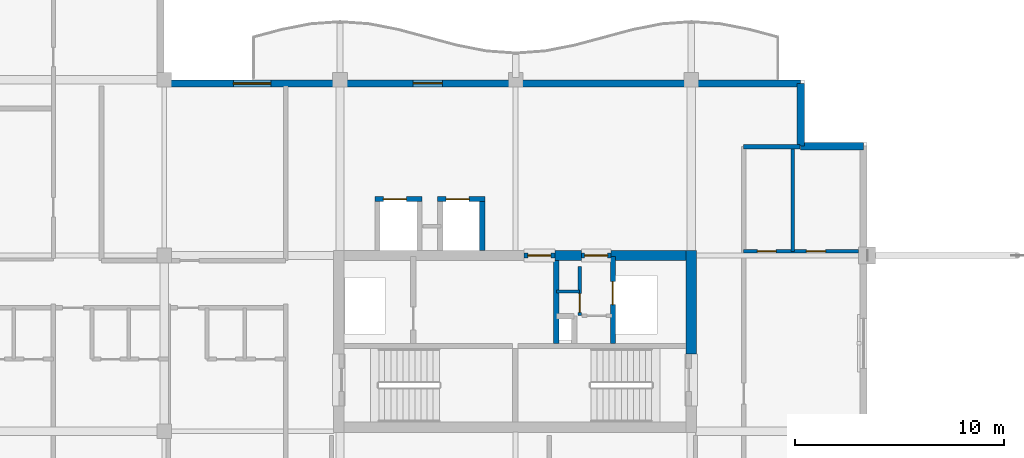
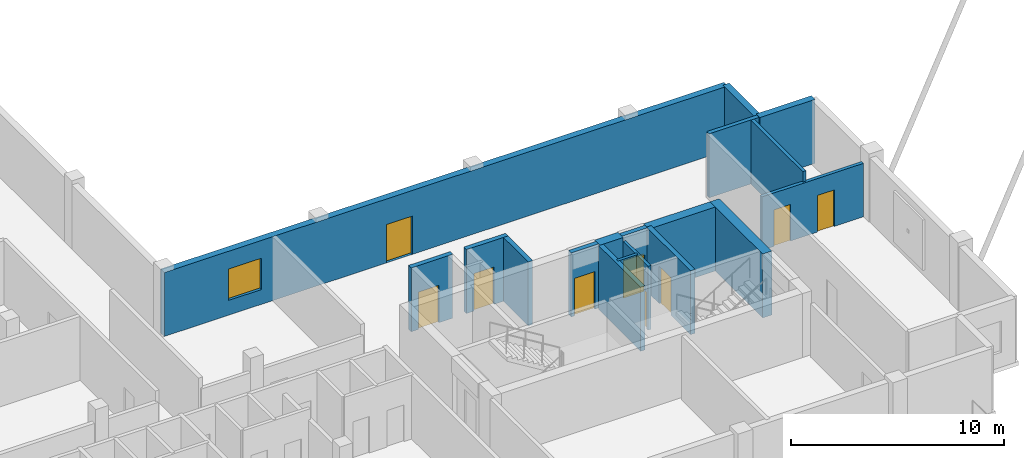
# One storey, part 9 of 17: 18 walls, 9 doors, 1 window, 10 openings.
"""IFC4 building model written with IfcOpenShell, lengths in metres."""

from ifc_helpers import new_model, si_unit, direction, frame, frame_2d, origin, place, context, subcontext, project, spatial, rectangle, extrude, material, layer, layer_set, type_object, element, fill, save


model = new_model("IFC4")

# Units and contexts
model_context = context("Model", 3, precision=1e-05, world=origin(), true_north=direction((0.0, 1.0)))
body_context = subcontext(model_context, "Body", "Model", "MODEL_VIEW")
ifc_project = project(units=[si_unit("LENGTHUNIT", "METRE"), si_unit("AREAUNIT", "SQUARE_METRE"), si_unit("VOLUMEUNIT", "CUBIC_METRE"), si_unit("PLANEANGLEUNIT", "RADIAN"), si_unit("MASSUNIT", "GRAM", prefix="KILO")], contexts=[model_context])

# Site, building, storey
site_placement = place(None, origin())
site = spatial("IfcSite", under=ifc_project, at=site_placement, CompositionType="ELEMENT")
building_placement = place(site_placement, origin())
building = spatial("IfcBuilding", under=site, at=building_placement, Name="Koriwani Terraces Tower", CompositionType="ELEMENT")
storey_placement = place(building_placement, frame((0.0, 0.0, 347.60009765625)))
storey = spatial("IfcBuildingStorey", under=building, at=storey_placement, Name="L86", CompositionType="ELEMENT", Elevation=347.60009765625)

# Walls
ifc_material_1 = material(Name="Concrete C50/60", Category="concrete")
ifc_layer_1 = layer(ifc_material_1, 0.5, Name="Concrete C50/60")
ifc_layer_set_1 = layer_set([ifc_layer_1], Name="Concrete C50/60")
wall_type_1 = type_object("IfcWallType", Name="WALL_CORE_RC_500", PredefinedType="SHEAR", material=ifc_layer_set_1)
wall_1_placement = place(storey_placement, frame((58.800048828125, 20.5, 0.0), z_axis=(0.0, 0.0, 1.0), x_axis=(0.0, 1.0, 0.0)))
element("IfcWall", 1, at=wall_1_placement, inside=storey, type_object=wall_type_1, Name="L86 East Split Core Shear Wall E2", PredefinedType="SHEAR", context=body_context, shape_type="SweptSolid", body=[
    extrude(rectangle(XDim=4.949951171875, YDim=0.5, at=frame_2d((2.47509765625, 0.0))), origin(), (0.0, 0.0, 1.0), 3.669921875),
])
wall_2_placement = place(storey_placement, frame((52.280029296875, 25.199951171875, 0.0), z_axis=(0.0, 0.0, 1.0), x_axis=(1.0, 0.0, 0.0)))
element("IfcWall", 2, at=wall_2_placement, inside=storey, type_object=wall_type_1, Name="L86 East Split Core Shear Wall N2", PredefinedType="SHEAR", context=body_context, shape_type="SweptSolid", body=[
    extrude(rectangle(XDim=1.27001953125, YDim=0.5, at=frame_2d((0.635009765625, 0.0))), origin(), (0.0, 0.0, 1.0), 3.669921875),
])
wall_3_placement = place(storey_placement, frame((54.949951171875, 25.199951171875, 0.0), z_axis=(0.0, 0.0, 1.0), x_axis=(1.0, 0.0, 0.0)))
element("IfcWall", 3, at=wall_3_placement, inside=storey, type_object=wall_type_1, Name="L86 East Split Core Shear Wall N3", PredefinedType="SHEAR", context=body_context, shape_type="SweptSolid", body=[
    extrude(rectangle(XDim=3.60009765625, YDim=0.5, at=frame_2d((1.800048828125, 0.0))), origin(), (0.0, 0.0, 1.0), 3.669921875),
])
ifc_material_2 = material(Name="Autoclaved Cellular Concrete Blockwork", Category="masonry")
ifc_layer_2 = layer(ifc_material_2, 0.219970703125, Name="Autoclaved Cellular Concrete Blockwork")
ifc_layer_set_2 = layer_set([ifc_layer_2], Name="Autoclaved Cellular Concrete Blockwork")
wall_type_2 = type_object("IfcWallType", Name="WALL_DEMISING_220", PredefinedType="PARTITIONING", material=ifc_layer_set_2)
wall_4_placement = place(storey_placement, frame((61.300048828125, 30.39990234375, 0.0), z_axis=(0.0, 0.0, 1.0), x_axis=(1.0, 0.0, 0.0)))
element("IfcWall", 4, at=wall_4_placement, inside=storey, type_object=wall_type_2, Name="L86 Interior Wall WET-N-L86", PredefinedType="PARTITIONING", context=body_context, shape_type="SweptSolid", body=[
    extrude(rectangle(XDim=2.699951171875, YDim=0.219970703125, at=frame_2d((1.35009765625, 0.0))), origin(), (0.0, 0.0, 1.0), 3.669921875),
])

# Wall, openings, door, window
ifc_layer_3 = layer(ifc_material_1, 0.35009765625, Name="Concrete C50/60")
ifc_layer_set_3 = layer_set([ifc_layer_3], Name="Concrete C50/60")
wall_type_3 = type_object("IfcWallType", Name="WALL_EXT_BRUTALIST_350", PredefinedType="STANDARD", material=ifc_layer_set_3)
wall_5_placement = place(storey_placement, frame((33.425048828125, 33.425048828125, 0.0), z_axis=(0.0, 0.0, 1.0), x_axis=(1.0, 0.0, 0.0)))
wall_5 = element("IfcWall", 5, at=wall_5_placement, inside=storey, type_object=wall_type_3, Name="L86 Fair-Faced Brutalist Exterior Wall (NE)", PredefinedType="STANDARD", context=body_context, shape_type="SweptSolid", body=[
    extrude(rectangle(XDim=30.599853515625, YDim=0.35009765625, at=frame_2d((15.2998046875, 0.0))), origin(), (0.0, 0.0, 1.0), 3.669921875),
])
opening_1_placement = place(wall_5_placement, frame((12.074951171875, 0.0, 0.0)))
opening_1 = element("IfcOpeningElement", 6, at=opening_1_placement, cuts=wall_5, Name="Opening D-09", PredefinedType="OPENING", context=body_context, shape_type="SweptSolid", body=[
    extrude(rectangle(XDim=1.39990234375, YDim=2.199951171875, at=frame_2d((0.699951171875, 1.10009765625))), frame((0.0, 0.18505859375, 0.0), z_axis=(0.0, -1.0, 0.0), x_axis=(1.0, 0.0, 0.0)), (0.0, 0.0, 1.0), 0.3701171875),
])
opening_2_placement = place(wall_5_placement, frame((3.47509765625, 0.0, 0.85009765625)))
opening_2 = element("IfcOpeningElement", 7, at=opening_2_placement, cuts=wall_5, Name="Opening W-04", PredefinedType="OPENING", context=body_context, shape_type="SweptSolid", body=[
    extrude(rectangle(XDim=1.800048828125, YDim=1.800048828125, at=frame_2d((0.89990234375, 0.89990234375))), frame((0.0, 0.18505859375, 0.0), z_axis=(0.0, -1.0, 0.0), x_axis=(1.0, 0.0, 0.0)), (0.0, 0.0, 1.0), 0.3701171875),
])
ifc_material_3 = material(Name="Anodised Bronze Aluminium", Category="aluminium")
door_type_1 = type_object("IfcDoorType", Name="DOOR_BALCONY_GLAZED_1400X2200", OperationType="NOTDEFINED", PredefinedType="DOOR", material=ifc_material_3)
door_1_placement = place(opening_1_placement, origin())
door_1 = element("IfcDoor", 8, at=door_1_placement, inside=storey, type_object=door_type_1, Name="L86 Inner Court Balcony Glazed Door", OperationType="SINGLE_SWING_LEFT", OverallHeight=2.199951171875, OverallWidth=1.39990234375, PredefinedType="DOOR", context=body_context, shape_type="SweptSolid", body=[
    extrude(rectangle(XDim=1.39990234375, YDim=2.199951171875, at=frame_2d((0.699951171875, 1.10009765625))), frame((0.0, 0.02490234375, 0.0), z_axis=(0.0, -1.0, 0.0), x_axis=(1.0, 0.0, 0.0)), (0.0, 0.0, 1.0), 0.050048828125),
])
fill(opening_1, door_1)
ifc_material_4 = material(Name="Tempered Laminated Low-E Glass", Category="glass")
window_type = type_object("IfcWindowType", Name="WIN_RES_BED_1800X1800", PartitioningType="DOUBLE_PANEL_VERTICAL", PredefinedType="WINDOW", material=ifc_material_4)
window_placement = place(opening_2_placement, origin())
window = element("IfcWindow", 9, at=window_placement, inside=storey, type_object=window_type, Name="L86 Exterior Window (NE-2)", OverallHeight=1.800048828125, OverallWidth=1.800048828125, PartitioningType="SINGLE_PANEL", PredefinedType="WINDOW", context=body_context, shape_type="SweptSolid", body=[
    extrude(rectangle(XDim=1.800048828125, YDim=1.800048828125, at=frame_2d((0.89990234375, 0.89990234375))), frame((0.0, 0.030029296875, 0.0), z_axis=(0.0, -1.0, 0.0), x_axis=(1.0, 0.0, 0.0)), (0.0, 0.0, 1.0), 0.06005859375),
])
fill(opening_2, window)

# Walls
for number, where, z_axis, x_axis, name in (
    (10, (64.02490234375, 33.425048828125, 0.0), (0.0, 0.0, 1.0), (0.0, -1.0, 0.0), "L86 Fair-Faced Brutalist Exterior Wall (N10)"),
    (11, (64.02490234375, 30.425048828125, 0.0), (0.0, 0.0, 1.0), (1.0, 0.0, 0.0), "L86 Fair-Faced Brutalist Exterior Wall (N11)"),
):
    element("IfcWall", number, at=place(storey_placement, frame(where, z_axis=z_axis, x_axis=x_axis)), inside=storey, type_object=wall_type_3, Name=name, PredefinedType="STANDARD", context=body_context, shape_type="SweptSolid", body=[
        extrude(rectangle(XDim=3.0, YDim=0.35009765625, at=frame_2d((1.5, 0.0))), origin(), (0.0, 0.0, 1.0), 3.669921875),
    ])

# Wall, openings, doors
ifc_material_5 = material(Name="Fire-Rated Acoustic Gypsum Partition", Category="masonry")
ifc_layer_4 = layer(ifc_material_5, 0.179931640625, Name="Fire-Rated Acoustic Gypsum Partition")
ifc_layer_set_4 = layer_set([ifc_layer_4], Name="Fire-Rated Acoustic Gypsum Partition")
wall_type_4 = type_object("IfcWallType", Name="WALL_PLUMBING_180", PredefinedType="PLUMBINGWALL", material=ifc_layer_set_4)
wall_6_placement = place(storey_placement, frame((61.300048828125, 25.39990234375, 0.0), z_axis=(0.0, 0.0, 1.0), x_axis=(1.0, 0.0, 0.0)))
wall_6 = element("IfcWall", 12, at=wall_6_placement, inside=storey, type_object=wall_type_4, Name="L86 Interior Wall WET-SVB-L86", PredefinedType="PLUMBINGWALL", context=body_context, shape_type="SweptSolid", body=[
    extrude(rectangle(XDim=5.5, YDim=0.179931640625, at=frame_2d((2.75, 0.0))), origin(), (0.0, 0.0, 1.0), 3.06982421875),
])
opening_3_placement = place(wall_6_placement, frame((0.64990234375, 0.0, 0.0)))
opening_3 = element("IfcOpeningElement", 13, at=opening_3_placement, cuts=wall_6, Name="Opening D-07", PredefinedType="OPENING", context=body_context, shape_type="SweptSolid", body=[
    extrude(rectangle(XDim=0.89990234375, YDim=2.10009765625, at=frame_2d((0.449951171875, 1.050048828125))), frame((0.0, 0.10009765625, 0.0), z_axis=(0.0, -1.0, 0.0), x_axis=(1.0, 0.0, 0.0)), (0.0, 0.0, 1.0), 0.199951171875),
])
opening_4_placement = place(wall_6_placement, frame((3.0, 0.0, 0.0)))
opening_4 = element("IfcOpeningElement", 14, at=opening_4_placement, cuts=wall_6, Name="Opening D-06", PredefinedType="OPENING", context=body_context, shape_type="SweptSolid", body=[
    extrude(rectangle(XDim=0.919921875, YDim=2.10009765625, at=frame_2d((0.4599609375, 1.050048828125))), frame((0.0, 0.10009765625, 0.0), z_axis=(0.0, -1.0, 0.0), x_axis=(1.0, 0.0, 0.0)), (0.0, 0.0, 1.0), 0.199951171875),
])
ifc_material_6 = material(Name="Architectural Oak Fire Door", Category="wood")
door_type_2 = type_object("IfcDoorType", Name="DOOR_BATH_INT_900X2100", OperationType="NOTDEFINED", PredefinedType="DOOR", material=ifc_material_6)
door_2_placement = place(opening_3_placement, origin())
door_2 = element("IfcDoor", 15, at=door_2_placement, inside=storey, type_object=door_type_2, Name="Apartment 86ET Bathroom Door", OperationType="SINGLE_SWING_RIGHT", OverallHeight=2.10009765625, OverallWidth=0.89990234375, PredefinedType="DOOR", context=body_context, shape_type="SweptSolid", body=[
    extrude(rectangle(XDim=0.89990234375, YDim=2.10009765625, at=frame_2d((0.449951171875, 1.050048828125))), frame((0.0, 0.02490234375, 0.0), z_axis=(0.0, -1.0, 0.0), x_axis=(1.0, 0.0, 0.0)), (0.0, 0.0, 1.0), 0.050048828125),
])
fill(opening_3, door_2)
door_type_3 = type_object("IfcDoorType", Name="DOOR_ROOM_INT_920X2100", OperationType="NOTDEFINED", PredefinedType="DOOR", material=ifc_material_6)
door_3_placement = place(opening_4_placement, origin())
door_3 = element("IfcDoor", 16, at=door_3_placement, inside=storey, type_object=door_type_3, Name="Apartment 86ET Kitchen Door", OperationType="SINGLE_SWING_LEFT", OverallHeight=2.10009765625, OverallWidth=0.919921875, PredefinedType="DOOR", context=body_context, shape_type="SweptSolid", body=[
    extrude(rectangle(XDim=0.919921875, YDim=2.10009765625, at=frame_2d((0.4599609375, 1.050048828125))), frame((0.0, 0.02490234375, 0.0), z_axis=(0.0, -1.0, 0.0), x_axis=(1.0, 0.0, 0.0)), (0.0, 0.0, 1.0), 0.050048828125),
])
fill(opening_4, door_3)

# Wall
wall_7_placement = place(storey_placement, frame((63.64990234375, 25.39990234375, 0.0), z_axis=(0.0, 0.0, 1.0), x_axis=(0.0, 1.0, 0.0)))
element("IfcWall", 17, at=wall_7_placement, inside=storey, type_object=wall_type_4, Name="L86 Interior Wall WET-SVCM-L86", PredefinedType="PLUMBINGWALL", context=body_context, shape_type="SweptSolid", body=[
    extrude(rectangle(XDim=5.0, YDim=0.179931640625, at=frame_2d((2.5, 0.0))), origin(), (0.0, 0.0, 1.0), 3.669921875),
])

# Wall, opening, door
ifc_material_7 = material(Name="Concrete C40/50", Category="concrete")
ifc_layer_5 = layer(ifc_material_7, 0.25, Name="Concrete C40/50")
ifc_layer_set_5 = layer_set([ifc_layer_5], Name="Concrete C40/50")
wall_type_5 = type_object("IfcWallType", Name="WALL_SHAFT_RATED_250", PredefinedType="SOLIDWALL", material=ifc_layer_set_5)
wall_8_placement = place(storey_placement, frame((50.800048828125, 25.199951171875, 0.0), z_axis=(0.0, 0.0, 1.0), x_axis=(1.0, 0.0, 0.0)))
wall_8 = element("IfcWall", 18, at=wall_8_placement, inside=storey, type_object=wall_type_5, Name="L86 Interior Wall WIN-CE-L86-NP", PredefinedType="SOLIDWALL", context=body_context, shape_type="SweptSolid", body=[
    extrude(rectangle(XDim=1.47998046875, YDim=0.25, at=frame_2d((0.739990234375, 0.0))), origin(), (0.0, 0.0, 1.0), 3.669921875),
])
opening_5_placement = place(wall_8_placement, frame((0.179931640625, 0.0, 0.0)))
opening_5 = element("IfcOpeningElement", 19, at=opening_5_placement, cuts=wall_8, Name="Opening D-03", PredefinedType="OPENING", context=body_context, shape_type="SweptSolid", body=[
    extrude(rectangle(XDim=1.10009765625, YDim=2.14990234375, at=frame_2d((0.550048828125, 1.074951171875))), frame((0.0, 0.135009765625, 0.0), z_axis=(0.0, -1.0, 0.0), x_axis=(1.0, 0.0, 0.0)), (0.0, 0.0, 1.0), 0.27001953125),
])
ifc_material_8 = material(Name="Steel ASTM A572 Grade 50", Category="steel")
door_type_4 = type_object("IfcDoorType", Name="DOOR_STAIR_FIRE_1100X2150", OperationType="NOTDEFINED", PredefinedType="DOOR", material=ifc_material_8)
door_4_placement = place(opening_5_placement, origin())
door_4 = element("IfcDoor", 20, at=door_4_placement, inside=storey, type_object=door_type_4, Name="L86 East Firefighting Lobby Door", OperationType="SINGLE_SWING_LEFT", OverallHeight=2.14990234375, OverallWidth=1.10009765625, PredefinedType="DOOR", context=body_context, shape_type="SweptSolid", body=[
    extrude(rectangle(XDim=1.10009765625, YDim=2.14990234375, at=frame_2d((0.550048828125, 1.074951171875))), frame((0.0, 0.02490234375, 0.0), z_axis=(0.0, -1.0, 0.0), x_axis=(1.0, 0.0, 0.0)), (0.0, 0.0, 1.0), 0.050048828125),
])
fill(opening_5, door_4)

# Wall
wall_9_placement = place(storey_placement, frame((52.340087890625, 21.0, 0.0), z_axis=(0.0, 0.0, 1.0), x_axis=(0.0, 1.0, 0.0)))
element("IfcWall", 21, at=wall_9_placement, inside=storey, type_object=wall_type_5, Name="L86 Interior Wall WIN-CE-L86-FFE", PredefinedType="SOLIDWALL", context=body_context, shape_type="SweptSolid", body=[
    extrude(rectangle(XDim=3.949951171875, YDim=0.25, at=frame_2d((1.97509765625, 0.0))), origin(), (0.0, 0.0, 1.0), 3.669921875),
])

# Wall, opening, door
wall_10_placement = place(storey_placement, frame((55.050048828125, 21.0, 0.0), z_axis=(0.0, 0.0, 1.0), x_axis=(0.0, 1.0, 0.0)))
wall_10 = element("IfcWall", 22, at=wall_10_placement, inside=storey, type_object=wall_type_5, Name="L86 Interior Wall WIN-CE-L86-SE", PredefinedType="SOLIDWALL", context=body_context, shape_type="SweptSolid", body=[
    extrude(rectangle(XDim=4.14990234375, YDim=0.25, at=frame_2d((2.074951171875, 0.0))), origin(), (0.0, 0.0, 1.0), 3.669921875),
])
opening_6_placement = place(wall_10_placement, frame((1.85009765625, 0.0, 0.0)))
opening_6 = element("IfcOpeningElement", 23, at=opening_6_placement, cuts=wall_10, Name="Opening LD-01", PredefinedType="OPENING", context=body_context, shape_type="SweptSolid", body=[
    extrude(rectangle(XDim=1.10009765625, YDim=2.14990234375, at=frame_2d((0.550048828125, 1.074951171875))), frame((0.0, 0.135009765625, 0.0), z_axis=(0.0, -1.0, 0.0), x_axis=(1.0, 0.0, 0.0)), (0.0, 0.0, 1.0), 0.27001953125),
])
door_type_5 = type_object("IfcDoorType", Name="DOOR_LIFT_LANDING_1100X2200", OperationType="NOTDEFINED", PredefinedType="DOOR", material=ifc_material_8)
door_5_placement = place(opening_6_placement, origin())
door_5 = element("IfcDoor", 24, at=door_5_placement, inside=storey, type_object=door_type_5, Name="L86 Goods Lift SE-02 Landing Door", OperationType="SLIDING_TO_LEFT", OverallHeight=2.14990234375, OverallWidth=1.10009765625, PredefinedType="DOOR", context=body_context, shape_type="SweptSolid", body=[
    extrude(rectangle(XDim=1.10009765625, YDim=2.14990234375, at=frame_2d((0.550048828125, 1.074951171875))), frame((0.0, 0.02490234375, 0.0), z_axis=(0.0, -1.0, 0.0), x_axis=(1.0, 0.0, 0.0)), (0.0, 0.0, 1.0), 0.050048828125),
])
fill(opening_6, door_5)

wall_11_placement = place(storey_placement, frame((53.550048828125, 25.199951171875, 0.0), z_axis=(0.0, 0.0, 1.0), x_axis=(1.0, 0.0, 0.0)))
wall_11 = element("IfcWall", 25, at=wall_11_placement, inside=storey, type_object=wall_type_5, Name="L86 Interior Wall WIN-CE-L86-NP2", PredefinedType="SOLIDWALL", context=body_context, shape_type="SweptSolid", body=[
    extrude(rectangle(XDim=1.39990234375, YDim=0.25, at=frame_2d((0.699951171875, 0.0))), origin(), (0.0, 0.0, 1.0), 3.669921875),
])
opening_7_placement = place(wall_11_placement, frame((0.14990234375, 0.0, 0.0)))
opening_7 = element("IfcOpeningElement", 26, at=opening_7_placement, cuts=wall_11, Name="Opening D-03", PredefinedType="OPENING", context=body_context, shape_type="SweptSolid", body=[
    extrude(rectangle(XDim=1.10009765625, YDim=2.14990234375, at=frame_2d((0.550048828125, 1.074951171875))), frame((0.0, 0.135009765625, 0.0), z_axis=(0.0, -1.0, 0.0), x_axis=(1.0, 0.0, 0.0)), (0.0, 0.0, 1.0), 0.27001953125),
])
door_6_placement = place(opening_7_placement, origin())
door_6 = element("IfcDoor", 27, at=door_6_placement, inside=storey, type_object=door_type_4, Name="L86 East Goods Lift Lobby Door", OperationType="SINGLE_SWING_RIGHT", OverallHeight=2.14990234375, OverallWidth=1.10009765625, PredefinedType="DOOR", context=body_context, shape_type="SweptSolid", body=[
    extrude(rectangle(XDim=1.10009765625, YDim=2.14990234375, at=frame_2d((0.550048828125, 1.074951171875))), frame((0.0, 0.02490234375, 0.0), z_axis=(0.0, -1.0, 0.0), x_axis=(1.0, 0.0, 0.0)), (0.0, 0.0, 1.0), 0.050048828125),
])
fill(opening_7, door_6)

wall_12_placement = place(storey_placement, frame((43.675048828125, 27.89990234375, 0.0), z_axis=(0.0, 0.0, 1.0), x_axis=(1.0, 0.0, 0.0)))
wall_12 = element("IfcWall", 28, at=wall_12_placement, inside=storey, type_object=wall_type_5, Name="L86 Interior Wall WIN-LF-PE-H3-L86-F", PredefinedType="SOLIDWALL", context=body_context, shape_type="SweptSolid", body=[
    extrude(rectangle(XDim=2.25, YDim=0.25, at=frame_2d((1.125, 0.0))), origin(), (0.0, 0.0, 1.0), 3.669921875),
])
opening_8_placement = place(wall_12_placement, frame((0.39990234375, 0.0, 0.0)))
opening_8 = element("IfcOpeningElement", 29, at=opening_8_placement, cuts=wall_12, Name="Opening LD-01", PredefinedType="OPENING", context=body_context, shape_type="SweptSolid", body=[
    extrude(rectangle(XDim=1.10009765625, YDim=2.14990234375, at=frame_2d((0.550048828125, 1.074951171875))), frame((0.0, 0.135009765625, 0.0), z_axis=(0.0, -1.0, 0.0), x_axis=(1.0, 0.0, 0.0)), (0.0, 0.0, 1.0), 0.27001953125),
])
door_7_placement = place(opening_8_placement, origin())
door_7 = element("IfcDoor", 30, at=door_7_placement, inside=storey, type_object=door_type_5, Name="L86 Passenger Lift PE-H3 Landing Door", OperationType="SLIDING_TO_LEFT", OverallHeight=2.14990234375, OverallWidth=1.10009765625, PredefinedType="DOOR", context=body_context, shape_type="SweptSolid", body=[
    extrude(rectangle(XDim=1.10009765625, YDim=2.14990234375, at=frame_2d((0.550048828125, 1.074951171875))), frame((0.0, 0.02490234375, 0.0), z_axis=(0.0, -1.0, 0.0), x_axis=(1.0, 0.0, 0.0)), (0.0, 0.0, 1.0), 0.050048828125),
])
fill(opening_8, door_7)

wall_13_placement = place(storey_placement, frame((46.675048828125, 27.89990234375, 0.0), z_axis=(0.0, 0.0, 1.0), x_axis=(1.0, 0.0, 0.0)))
wall_13 = element("IfcWall", 31, at=wall_13_placement, inside=storey, type_object=wall_type_5, Name="L86 Interior Wall WIN-LF-PE-H4-L86-F", PredefinedType="SOLIDWALL", context=body_context, shape_type="SweptSolid", body=[
    extrude(rectangle(XDim=2.25, YDim=0.25, at=frame_2d((1.125, 0.0))), origin(), (0.0, 0.0, 1.0), 3.669921875),
])
opening_9_placement = place(wall_13_placement, frame((0.39990234375, 0.0, 0.0)))
opening_9 = element("IfcOpeningElement", 32, at=opening_9_placement, cuts=wall_13, Name="Opening LD-01", PredefinedType="OPENING", context=body_context, shape_type="SweptSolid", body=[
    extrude(rectangle(XDim=1.10009765625, YDim=2.14990234375, at=frame_2d((0.550048828125, 1.074951171875))), frame((0.0, 0.135009765625, 0.0), z_axis=(0.0, -1.0, 0.0), x_axis=(1.0, 0.0, 0.0)), (0.0, 0.0, 1.0), 0.27001953125),
])
door_8_placement = place(opening_9_placement, origin())
door_8 = element("IfcDoor", 33, at=door_8_placement, inside=storey, type_object=door_type_5, Name="L86 Passenger Lift PE-H4 Landing Door", OperationType="SLIDING_TO_LEFT", OverallHeight=2.14990234375, OverallWidth=1.10009765625, PredefinedType="DOOR", context=body_context, shape_type="SweptSolid", body=[
    extrude(rectangle(XDim=1.10009765625, YDim=2.14990234375, at=frame_2d((0.550048828125, 1.074951171875))), frame((0.0, 0.02490234375, 0.0), z_axis=(0.0, -1.0, 0.0), x_axis=(1.0, 0.0, 0.0)), (0.0, 0.0, 1.0), 0.050048828125),
])
fill(opening_9, door_8)

# Wall
wall_14_placement = place(storey_placement, frame((48.800048828125, 25.449951171875, 0.0), z_axis=(0.0, 0.0, 1.0), x_axis=(0.0, 1.0, 0.0)))
element("IfcWall", 34, at=wall_14_placement, inside=storey, type_object=wall_type_5, Name="L86 Interior Wall WIN-LF-PE-H4-L86-E", PredefinedType="SOLIDWALL", context=body_context, shape_type="SweptSolid", body=[
    extrude(rectangle(XDim=2.324951171875, YDim=0.25, at=frame_2d((1.16259765625, 0.0))), origin(), (0.0, 0.0, 1.0), 3.669921875),
])

# Wall, opening, door
ifc_layer_6 = layer(ifc_material_5, 0.159912109375, Name="Fire-Rated Acoustic Gypsum Partition")
ifc_layer_set_6 = layer_set([ifc_layer_6], Name="Fire-Rated Acoustic Gypsum Partition")
wall_type_6 = type_object("IfcWallType", Name="WALL_SUITE_160", PredefinedType="PARTITIONING", material=ifc_layer_set_6)
wall_15_placement = place(storey_placement, frame((53.4599609375, 22.320068359375, 0.0), z_axis=(0.0, 0.0, 1.0), x_axis=(0.0, 1.0, 0.0)))
wall_15 = element("IfcWall", 35, at=wall_15_placement, inside=storey, type_object=wall_type_6, Name="L86 Interior Wall WIN-CE-L86-SV2H", PredefinedType="PARTITIONING", context=body_context, shape_type="SweptSolid", body=[
    extrude(rectangle(XDim=2.35986328125, YDim=0.159912109375, at=frame_2d((1.179931640625, 0.0))), origin(), (0.0, 0.0, 1.0), 3.669921875),
])
opening_10_placement = place(wall_15_placement, frame((0.159912109375, 0.0, 0.0)))
opening_10 = element("IfcOpeningElement", 36, at=opening_10_placement, cuts=wall_15, Name="Opening D-07", PredefinedType="OPENING", context=body_context, shape_type="SweptSolid", body=[
    extrude(rectangle(XDim=0.89990234375, YDim=2.10009765625, at=frame_2d((0.449951171875, 1.050048828125))), frame((0.0, 0.08984375, 0.0), z_axis=(0.0, -1.0, 0.0), x_axis=(1.0, 0.0, 0.0)), (0.0, 0.0, 1.0), 0.179931640625),
])
door_9_placement = place(opening_10_placement, origin())
door_9 = element("IfcDoor", 37, at=door_9_placement, inside=storey, type_object=door_type_2, Name="L86 East Valve Room Door", OperationType="SINGLE_SWING_RIGHT", OverallHeight=2.10009765625, OverallWidth=0.89990234375, PredefinedType="DOOR", context=body_context, shape_type="SweptSolid", body=[
    extrude(rectangle(XDim=0.89990234375, YDim=2.10009765625, at=frame_2d((0.449951171875, 1.050048828125))), frame((0.0, 0.02490234375, 0.0), z_axis=(0.0, -1.0, 0.0), x_axis=(1.0, 0.0, 0.0)), (0.0, 0.0, 1.0), 0.050048828125),
])
fill(opening_10, door_9)

# Wall
wall_16_placement = place(storey_placement, frame((52.360107421875, 23.47998046875, 0.0), z_axis=(0.0, 0.0, 1.0), x_axis=(1.0, 0.0, 0.0)))
element("IfcWall", 38, at=wall_16_placement, inside=storey, type_object=wall_type_6, Name="L86 Interior Wall WIN-CE-L86-SV2V", PredefinedType="PARTITIONING", context=body_context, shape_type="SweptSolid", body=[
    extrude(rectangle(XDim=1.099853515625, YDim=0.159912109375, at=frame_2d((0.5498046875, 0.0))), origin(), (0.0, 0.0, 1.0), 3.669921875),
])

save(model, "model.ifc")
